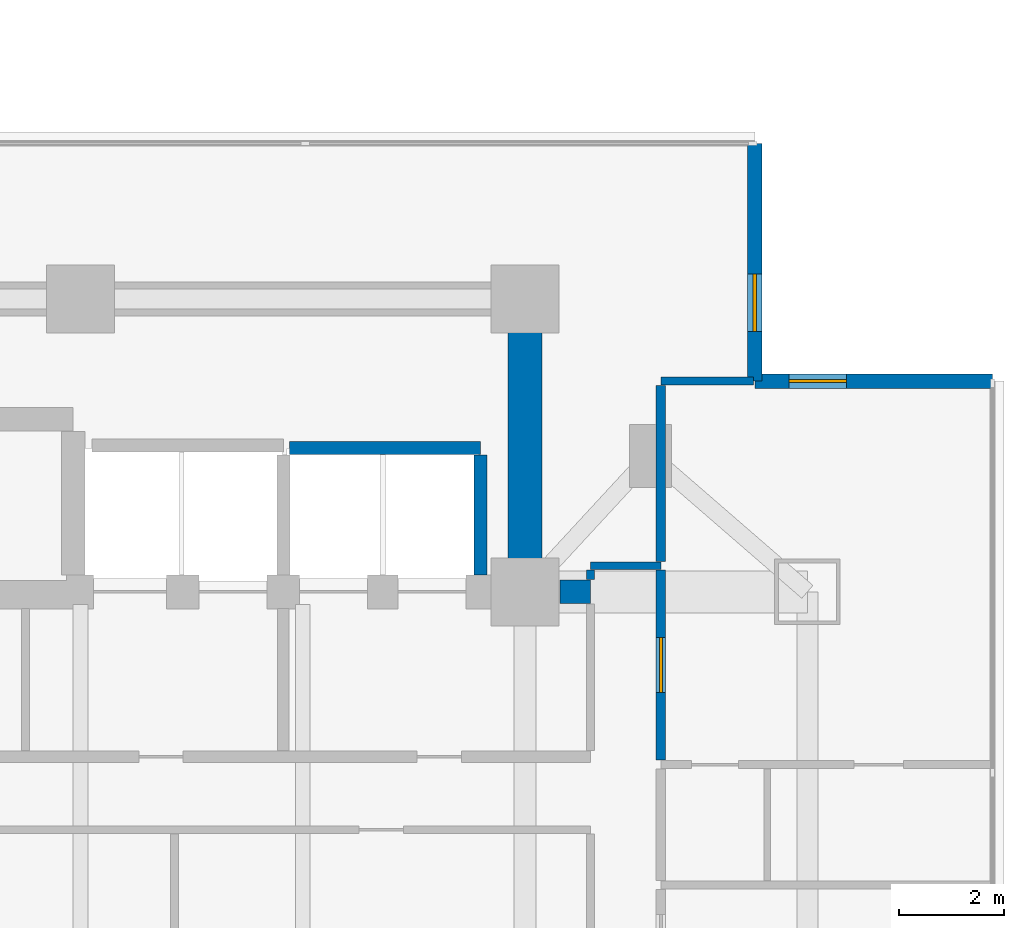
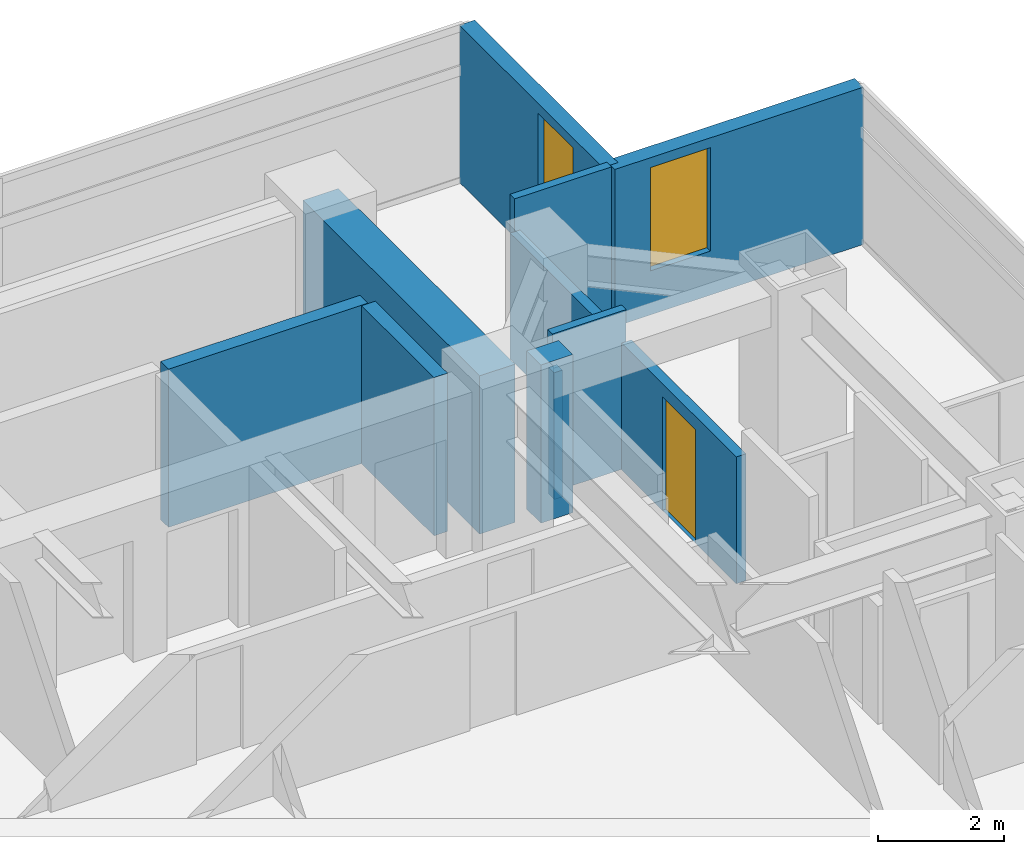
# One storey, part 20 of 27: 11 walls, 2 windows, 1 door, 3 openings.
"""IFC4 building model written with IfcOpenShell, lengths in metres."""

import ifcopenshell
import ifcopenshell.guid

model = None  # the IFC model being written
_history = None  # IfcOwnerHistory: only IFC2X3 demands one
_inside = {}  # id of a spatial element -> (the spatial element, [elements in it])
_under = {}  # id of a project, library or spatial element -> (it, [spatial elements below it])
_declared = {}  # id of a project -> (the project, [libraries it declares])
_typed = {}  # id of a type object -> (the type object, [elements of that type])
_made_of = {}  # id of a material, layer set ... -> (it, [elements and type objects made of it])


def new_model(schema):
    """Start an empty IFC model of exactly this schema.

    Asked for "IFC4X3", IfcOpenShell would pick the latest addendum, in which some entities
    have other attributes; the version numbers below select the first issue.
    IFC2X3 requires an IfcOwnerHistory on every rooted entity: one is made here for all.
    """
    global model, _history
    if schema == "IFC4X3":
        model = ifcopenshell.file(schema_version=(4, 3, 0, 0))
    else:
        model = ifcopenshell.file(schema=schema)
    _inside.clear()
    _under.clear()
    _declared.clear()
    _typed.clear()
    _made_of.clear()
    _history = None
    if model.schema == "IFC2X3":
        org = make("IfcOrganization", Name="unknown")
        user = make(
            "IfcPersonAndOrganization",
            ThePerson=make("IfcPerson", FamilyName="unknown"),
            TheOrganization=org,
        )
        app = make(
            "IfcApplication",
            ApplicationDeveloper=org,
            Version="unknown",
            ApplicationFullName="unknown",
            ApplicationIdentifier="unknown",
        )
        _history = make(
            "IfcOwnerHistory",
            OwningUser=user,
            OwningApplication=app,
            ChangeAction="ADDED",
            CreationDate=0,
        )
    return model


def make(cls, **values):
    """One entity of the class cls with the attributes given. An attribute that is None is left unset."""
    return model.create_entity(
        cls, **{name: value for name, value in values.items() if value is not None}
    )


def rooted(cls, **values):
    """An entity with a GlobalId (a new one), such as an element, a storey or a relation."""
    return make(cls, GlobalId=ifcopenshell.guid.new(), OwnerHistory=_history, **values)


def si_unit(unit_type, name, prefix=None):
    """IfcSIUnit, for example si_unit("LENGTHUNIT", "METRE", prefix="MILLI")."""
    return make("IfcSIUnit", UnitType=unit_type, Prefix=prefix, Name=name)


def assignment(units):
    """IfcUnitAssignment: the units of a project."""
    return None if units is None else make("IfcUnitAssignment", Units=units)


def point(xyz):
    """IfcCartesianPoint."""
    return None if xyz is None else make("IfcCartesianPoint", Coordinates=xyz)


def direction(xyz):
    """IfcDirection."""
    return None if xyz is None else make("IfcDirection", DirectionRatios=xyz)


def frame(location, z_axis=None, x_axis=None):
    """IfcAxis2Placement3D, a coordinate frame: its origin and axes. An axis left out is left unset."""
    return make(
        "IfcAxis2Placement3D",
        Location=point(location),
        Axis=direction(z_axis),
        RefDirection=direction(x_axis),
    )


def frame_2d(location, x_axis=None):
    """IfcAxis2Placement2D, a coordinate frame in the plane: its origin and x axis."""
    return make(
        "IfcAxis2Placement2D", Location=point(location), RefDirection=direction(x_axis)
    )


def origin():
    """The frame at (0, 0, 0) with its axes left unset."""
    return frame((0.0, 0.0, 0.0))


def place(relative_to, where):
    """IfcLocalPlacement: puts the frame where relative to a parent placement (None: the world)."""
    return make(
        "IfcLocalPlacement", PlacementRelTo=relative_to, RelativePlacement=where
    )


def context(
    kind, dimensions, precision=None, world=None, true_north=None, identifier=None
):
    """IfcGeometricRepresentationContext, for example the 3D "Model" context."""
    return make(
        "IfcGeometricRepresentationContext",
        ContextIdentifier=identifier,
        ContextType=kind,
        CoordinateSpaceDimension=dimensions,
        Precision=precision,
        WorldCoordinateSystem=world,
        TrueNorth=true_north,
    )


def subcontext(parent, identifier, kind, view, scale=None):
    """IfcGeometricRepresentationSubContext, for example "Body" below "Model"."""
    return make(
        "IfcGeometricRepresentationSubContext",
        ContextIdentifier=identifier,
        ContextType=kind,
        ParentContext=parent,
        TargetScale=scale,
        TargetView=view,
    )


def project(units=None, contexts=None):
    """IfcProject with its units and contexts."""
    return rooted(
        "IfcProject",
        Name="project",
        RepresentationContexts=contexts,
        UnitsInContext=assignment(units),
    )


def spatial(cls, under=None, at=None, **own):
    """A site, building, storey or space (cls), placed at a placement, below another one or the project."""
    s = rooted(cls, ObjectPlacement=at, **own)
    if under is not None:
        _under.setdefault(under.id(), (under, []))[1].append(s)
    return s


def profile(cls, at=None, kind="AREA", **sizes):
    """A parametric profile (cls). Its sizes go by their IFC names, for example OverallWidth=200.0."""
    return make(cls, ProfileType=kind, Position=at, **sizes)


def rectangle(**sizes):
    """IfcRectangleProfileDef."""
    return profile("IfcRectangleProfileDef", **sizes)


def extrude(swept, where, along, depth):
    """IfcExtrudedAreaSolid: the profile swept, set in the frame where, extruded along a direction by depth."""
    return make(
        "IfcExtrudedAreaSolid",
        SweptArea=swept,
        Position=where,
        ExtrudedDirection=direction(along),
        Depth=depth,
    )


def shape(context_of_items, identifier, shape_type, items):
    """IfcShapeRepresentation: the items that make up one representation, for example the "Body"."""
    return make(
        "IfcShapeRepresentation",
        ContextOfItems=context_of_items,
        RepresentationIdentifier=identifier,
        RepresentationType=shape_type,
        Items=items,
    )


def material(Name=None, Category=None):
    """IfcMaterial."""
    return make("IfcMaterial", Name=Name, Category=Category)


def layer(
    of_material, thickness, ventilated=None, Name=None, Category=None, Priority=None
):
    """IfcMaterialLayer: one layer of a wall or slab, of a material (None: an air gap)."""
    return make(
        "IfcMaterialLayer",
        Material=of_material,
        LayerThickness=thickness,
        IsVentilated=ventilated,
        Name=Name,
        Category=Category,
        Priority=Priority,
    )


def layer_set(layers, Name=None):
    """IfcMaterialLayerSet."""
    return make("IfcMaterialLayerSet", MaterialLayers=layers, LayerSetName=Name)


def made_of(thing, what):
    """Note that an element or type object is made of a material, layer set ...; save() writes the relation."""
    if what is not None:
        _made_of.setdefault(what.id(), (what, []))[1].append(thing)
    return thing


def type_object(cls, material=None, **own):
    """A type object (cls), such as IfcWallType, which elements share."""
    return made_of(rooted(cls, **own), material)


def element(
    cls,
    number,
    at=None,
    inside=None,
    cuts=None,
    type_object=None,
    material=None,
    context=None,
    identifier="Body",
    shape_type=None,
    held_by="IfcProductDefinitionShape",
    body=None,
    shapes=None,
    **own,
):
    """One element of the class cls, such as IfcWall. Its Tag is "e" and its number.

    at: its placement. inside: the storey or other place that contains it. cuts: it is an
    opening in that element (IfcRelVoidsElement). A single representation is given by context,
    identifier, shape_type and body (its items); several are given by shapes. held_by: the class
    of the entity that holds the representations. save() writes the other relations.
    """
    e = rooted(cls, Tag="e%d" % number, ObjectPlacement=at, **own)
    if body is not None:
        shapes = [shape(context, identifier, shape_type, body)]
    if shapes is not None:
        e.Representation = make(held_by, Representations=shapes)
    if inside is not None:
        _inside.setdefault(inside.id(), (inside, []))[1].append(e)
    if cuts is not None:
        rooted(
            "IfcRelVoidsElement", RelatingBuildingElement=cuts, RelatedOpeningElement=e
        )
    if type_object is not None:
        _typed.setdefault(type_object.id(), (type_object, []))[1].append(e)
    return made_of(e, material)


def fill(opening, filler):
    """IfcRelFillsElement: the door or window that sits in an opening."""
    return rooted(
        "IfcRelFillsElement",
        RelatingOpeningElement=opening,
        RelatedBuildingElement=filler,
    )


def aggregate(whole, parts):
    """IfcRelAggregates: a whole, such as a stair, and the parts it consists of."""
    return rooted("IfcRelAggregates", RelatingObject=whole, RelatedObjects=parts)


def save(model, path):
    """Write the relations noted so far, then the file.

    IfcRelAggregates (storeys below a building ...), IfcRelContainedInSpatialStructure (elements
    in a storey), IfcRelDefinesByType, IfcRelAssociatesMaterial and IfcRelDeclares: one each for
    every whole, place, type object, material and project.
    """
    for whole, parts in _under.values():
        aggregate(whole, parts)
    for where, things in _inside.values():
        rooted(
            "IfcRelContainedInSpatialStructure",
            RelatedElements=things,
            RelatingStructure=where,
        )
    for kind, things in _typed.values():
        rooted("IfcRelDefinesByType", RelatedObjects=things, RelatingType=kind)
    for what, things in _made_of.values():
        rooted("IfcRelAssociatesMaterial", RelatedObjects=things, RelatingMaterial=what)
    for by, libraries in _declared.values():
        rooted("IfcRelDeclares", RelatingContext=by, RelatedDefinitions=libraries)
    model.write(path)


model = new_model("IFC4")

# Units and contexts
model_context = context("Model", 3, precision=1e-05, world=origin(), true_north=direction((0.0, 1.0)))
body_context = subcontext(model_context, "Body", "Model", "MODEL_VIEW")
ifc_project = project(units=[si_unit("LENGTHUNIT", "METRE"), si_unit("AREAUNIT", "SQUARE_METRE"), si_unit("VOLUMEUNIT", "CUBIC_METRE"), si_unit("PLANEANGLEUNIT", "RADIAN"), si_unit("MASSUNIT", "GRAM", prefix="KILO")], contexts=[model_context])

# Site, building, storey
site_placement = place(None, origin())
site = spatial("IfcSite", under=ifc_project, at=site_placement, CompositionType="ELEMENT")
building_placement = place(site_placement, origin())
building = spatial("IfcBuilding", under=site, at=building_placement, Name="Mirazonda Arch Towers", CompositionType="ELEMENT")
storey_placement = place(building_placement, frame((0.0, 0.0, 52.10009765625)))
storey = spatial("IfcBuildingStorey", under=building, at=storey_placement, Name="L14", CompositionType="ELEMENT", Elevation=52.10009765625)

# Walls
ifc_material_1 = material(Name="Concrete C50/60", Category="concrete")
ifc_layer_1 = layer(ifc_material_1, 0.449951171875, Name="WALL-CORE-450")
ifc_layer_set_1 = layer_set([ifc_layer_1], Name="Concrete C50/60")
wall_type_1 = type_object("IfcWallType", Name="WALL-CORE-450", PredefinedType="SHEAR", material=ifc_layer_set_1)
wall_1_placement = place(storey_placement, frame((85.6650390625, 35.199951171875, 0.0), z_axis=(0.0, 0.0, 1.0), x_axis=(1.0, 0.0, 0.0)))
element("IfcWall", 1, at=wall_1_placement, inside=storey, type_object=wall_type_1, Name="L14 Stair Core Shear Wall 048", PredefinedType="SHEAR", context=body_context, shape_type="SweptSolid", body=[
    extrude(rectangle(XDim=0.5849609375, YDim=0.449951171875, at=frame_2d((0.29248046875, 0.0))), origin(), (0.0, 0.0, 1.0), 3.059814453125),
])
ifc_material_2 = material(Name="Concrete C60/75", Category="concrete")
ifc_layer_2 = layer(ifc_material_2, 0.64990234375, Name="WALL-CORE-650")
ifc_layer_set_2 = layer_set([ifc_layer_2], Name="Concrete C60/75")
wall_type_2 = type_object("IfcWallType", Name="WALL-CORE-650", PredefinedType="SHEAR", material=ifc_layer_set_2)
wall_2_placement = place(storey_placement, frame((85.0, 35.199951171875, 0.0), z_axis=(0.0, 0.0, 1.0), x_axis=(0.0, 1.0, 0.0)))
element("IfcWall", 2, at=wall_2_placement, inside=storey, type_object=wall_type_2, Name="L14 T2N-E Core Shear Wall", PredefinedType="SHEAR", context=body_context, shape_type="SweptSolid", body=[
    extrude(rectangle(XDim=5.60009765625, YDim=0.64990234375, at=frame_2d((2.800048828125, 0.0))), origin(), (0.0, 0.0, 1.0), 3.059814453125),
])

# Wall, opening, window
ifc_material_3 = material(Name="Precast Concrete C40/50", Category="concrete")
ifc_layer_3 = layer(ifc_material_3, 0.280029296875, Name="WALL-EXT-WALL-280")
ifc_layer_set_3 = layer_set([ifc_layer_3], Name="Precast Concrete C40/50")
wall_type_3 = type_object("IfcWallType", Name="WALL-EXT-WALL-280", PredefinedType="SOLIDWALL", material=ifc_layer_set_3)
wall_3_placement = place(storey_placement, frame((89.39404296875, 39.22998046875, 0.0), z_axis=(0.0, 0.0, 1.0), x_axis=(0.0, 1.0, 0.0)))
wall_3 = element("IfcWall", 3, at=wall_3_placement, inside=storey, type_object=wall_type_3, Name="L14 T2 Notched NE Corner Wall WL-L14-T2-CNE", PredefinedType="SOLIDWALL", context=body_context, shape_type="SweptSolid", body=[
    extrude(rectangle(XDim=4.5458984375, YDim=0.280029296875, at=frame_2d((2.27294921875, 0.0))), origin(), (0.0, 0.0, 1.0), 3.039794921875),
])
opening_1_placement = place(wall_3_placement, frame((0.949951171875, 0.0, 0.85009765625)))
opening_1 = element("IfcOpeningElement", 4, at=opening_1_placement, cuts=wall_3, Name="Opening WN-108", PredefinedType="OPENING", context=body_context, shape_type="SweptSolid", body=[
    extrude(rectangle(XDim=1.10009765625, YDim=2.0, at=frame_2d((0.550048828125, 1.0))), frame((0.0, 0.14990234375, 0.0), z_axis=(0.0, -1.0, 0.0), x_axis=(1.0, 0.0, 0.0)), (0.0, 0.0, 1.0), 0.300048828125),
])
ifc_material_4 = material(Name="Insulated Low-E Solar Glass", Category="glass")
window_type = type_object("IfcWindowType", Name="WIN-NOTCH-1100x2000", PartitioningType="SINGLE_PANEL", PredefinedType="WINDOW", material=ifc_material_4)
window_1_placement = place(opening_1_placement, origin())
window_1 = element("IfcWindow", 5, at=window_1_placement, inside=storey, type_object=window_type, Name="L14 Punched Facade Window WN-L14-T2-CNE", OverallHeight=2.0, OverallWidth=1.10009765625, PartitioningType="SINGLE_PANEL", PredefinedType="WINDOW", context=body_context, shape_type="SweptSolid", body=[
    extrude(rectangle(XDim=1.10009765625, YDim=2.0, at=frame_2d((0.550048828125, 1.0))), frame((0.0, 0.030029296875, 0.0), z_axis=(0.0, -1.0, 0.0), x_axis=(1.0, 0.0, 0.0)), (0.0, 0.0, 1.0), 0.06005859375),
])
fill(opening_1, window_1)

wall_4_placement = place(storey_placement, frame((93.93994140625, 39.22998046875, 0.0), z_axis=(0.0, 0.0, 1.0), x_axis=(-1.0, 0.0, 0.0)))
wall_4 = element("IfcWall", 6, at=wall_4_placement, inside=storey, type_object=wall_type_3, Name="L14 T2 Corner Notch Return Wall WL-L14-T2-CNE2", PredefinedType="SOLIDWALL", context=body_context, shape_type="SweptSolid", body=[
    extrude(rectangle(XDim=4.5458984375, YDim=0.280029296875, at=frame_2d((2.27294921875, 0.0))), origin(), (0.0, 0.0, 1.0), 3.039794921875),
])
opening_2_placement = place(wall_4_placement, frame((2.7958984375, 0.0, 0.85009765625)))
opening_2 = element("IfcOpeningElement", 7, at=opening_2_placement, cuts=wall_4, Name="Opening WN-108", PredefinedType="OPENING", context=body_context, shape_type="SweptSolid", body=[
    extrude(rectangle(XDim=1.10009765625, YDim=2.0, at=frame_2d((0.550048828125, 1.0))), frame((0.0, 0.14990234375, 0.0), z_axis=(0.0, -1.0, 0.0), x_axis=(1.0, 0.0, 0.0)), (0.0, 0.0, 1.0), 0.300048828125),
])
window_2_placement = place(opening_2_placement, origin())
window_2 = element("IfcWindow", 8, at=window_2_placement, inside=storey, type_object=window_type, Name="L14 Punched Facade Window WN-L14-T2-CNE2", OverallHeight=2.0, OverallWidth=1.10009765625, PartitioningType="SINGLE_PANEL", PredefinedType="WINDOW", context=body_context, shape_type="SweptSolid", body=[
    extrude(rectangle(XDim=1.10009765625, YDim=2.0, at=frame_2d((0.550048828125, 1.0))), frame((0.0, 0.030029296875, 0.0), z_axis=(0.0, -1.0, 0.0), x_axis=(1.0, 0.0, 0.0)), (0.0, 0.0, 1.0), 0.06005859375),
])
fill(opening_2, window_2)

# Walls
ifc_material_5 = material(Name="Fire-Rated Gypsum Stud Partition")
ifc_layer_4 = layer(ifc_material_5, 0.14990234375, Name="WALL-PART-CORR-150")
ifc_layer_set_4 = layer_set([ifc_layer_4], Name="Fire-Rated Gypsum Stud Partition")
wall_type_4 = type_object("IfcWallType", Name="WALL-PART-CORR-150", PredefinedType="PARTITIONING", material=ifc_layer_set_4)
wall_5_placement = place(storey_placement, frame((86.25, 35.699951171875, 0.0), z_axis=(0.0, 0.0, 1.0), x_axis=(1.0, 0.0, 0.0)))
element("IfcWall", 9, at=wall_5_placement, inside=storey, type_object=wall_type_4, Name="L14 Interior Partition 050", PredefinedType="PARTITIONING", context=body_context, shape_type="SweptSolid", body=[
    extrude(rectangle(XDim=1.35009765625, YDim=0.14990234375, at=frame_2d((0.675048828125, 0.0))), origin(), (0.0, 0.0, 1.0), 3.059814453125),
])
wall_6_placement = place(storey_placement, frame((87.60009765625, 39.22998046875, 0.0), z_axis=(0.0, 0.0, 1.0), x_axis=(1.0, 0.0, 0.0)))
element("IfcWall", 10, at=wall_6_placement, inside=storey, type_object=wall_type_4, Name="L14 Interior Partition 056", PredefinedType="PARTITIONING", context=body_context, shape_type="SweptSolid", body=[
    extrude(rectangle(XDim=1.77392578125, YDim=0.14990234375, at=frame_2d((0.886962890625, 0.0))), origin(), (0.0, 0.0, 1.0), 3.059814453125),
])
wall_7_placement = place(storey_placement, frame((86.25, 35.43505859375, 0.0), z_axis=(0.0, 0.0, 1.0), x_axis=(0.0, 1.0, 0.0)))
element("IfcWall", 11, at=wall_7_placement, inside=storey, type_object=wall_type_4, Name="L14 Interior Partition 152", PredefinedType="PARTITIONING", context=body_context, shape_type="SweptSolid", body=[
    extrude(rectangle(XDim=0.179931640625, YDim=0.14990234375, at=frame_2d((0.08984375, 0.0))), origin(), (0.0, 0.0, 1.0), 2.451904296875),
])

# Wall, opening, door
ifc_material_6 = material(Name="Fire-Rated Gypsum Twin-Stud Assembly")
ifc_layer_5 = layer(ifc_material_6, 0.179931640625, Name="WALL-PART-DEMISE-180")
ifc_layer_set_5 = layer_set([ifc_layer_5], Name="Fire-Rated Gypsum Twin-Stud Assembly")
wall_type_5 = type_object("IfcWallType", Name="WALL-PART-DEMISE-180", PredefinedType="PARTITIONING", material=ifc_layer_set_5)
wall_8_placement = place(storey_placement, frame((87.60009765625, 31.98095703125, 0.0), z_axis=(0.0, 0.0, 1.0), x_axis=(0.0, 1.0, 0.0)))
wall_8 = element("IfcWall", 12, at=wall_8_placement, inside=storey, type_object=wall_type_5, Name="L14 Interior Partition 159", PredefinedType="PARTITIONING", context=body_context, shape_type="SweptSolid", body=[
    extrude(rectangle(XDim=3.634033203125, YDim=0.179931640625, at=frame_2d((1.81689453125, 0.0))), origin(), (0.0, 0.0, 1.0), 2.451904296875),
])
opening_3_placement = place(wall_8_placement, frame((1.2919921875, 0.0, 0.0)))
opening_3 = element("IfcOpeningElement", 13, at=opening_3_placement, cuts=wall_8, Name="Opening DR-121", PredefinedType="OPENING", context=body_context, shape_type="SweptSolid", body=[
    extrude(rectangle(XDim=1.050048828125, YDim=2.199951171875, at=frame_2d((0.52490234375, 1.10009765625))), frame((0.0, 0.099853515625, 0.0), z_axis=(0.0, -1.0, 0.0), x_axis=(1.0, 0.0, 0.0)), (0.0, 0.0, 1.0), 0.199951171875),
])
ifc_material_7 = material(Name="Architectural Brushed Steel S355", Category="steel")
door_type = type_object("IfcDoorType", Name="DOOR-SUITE-FD60-1050", OperationType="NOTDEFINED", PredefinedType="DOOR", material=ifc_material_7)
door_placement = place(opening_3_placement, origin())
door = element("IfcDoor", 14, at=door_placement, inside=storey, type_object=door_type, Name="L14 Studio Apartment 3 Living Salon Door", OperationType="SINGLE_SWING_LEFT", OverallHeight=2.199951171875, OverallWidth=1.050048828125, PredefinedType="DOOR", context=body_context, shape_type="SweptSolid", body=[
    extrude(rectangle(XDim=1.050048828125, YDim=2.199951171875, at=frame_2d((0.52490234375, 1.10009765625))), frame((0.0, 0.02490234375, 0.0), z_axis=(0.0, -1.0, 0.0), x_axis=(1.0, 0.0, 0.0)), (0.0, 0.0, 1.0), 0.050048828125),
])
fill(opening_3, door)

# Walls
wall_9_placement = place(storey_placement, frame((87.60009765625, 35.784912109375, 0.0), z_axis=(0.0, 0.0, 1.0), x_axis=(0.0, 1.0, 0.0)))
element("IfcWall", 15, at=wall_9_placement, inside=storey, type_object=wall_type_5, Name="L14 Interior Partition 160", PredefinedType="PARTITIONING", context=body_context, shape_type="SweptSolid", body=[
    extrude(rectangle(XDim=3.360107421875, YDim=0.179931640625, at=frame_2d((1.68017578125, 0.0))), origin(), (0.0, 0.0, 1.0), 2.435791015625),
])
ifc_material_8 = material(Name="Concrete C40/50", Category="concrete")
ifc_layer_6 = layer(ifc_material_8, 0.25, Name="WALL-SHAFT-250")
ifc_layer_set_6 = layer_set([ifc_layer_6], Name="Concrete C40/50")
wall_type_6 = type_object("IfcWallType", Name="WALL-SHAFT-250", PredefinedType="SOLIDWALL", material=ifc_layer_set_6)
wall_10_placement = place(storey_placement, frame((80.5, 37.949951171875, 0.0), z_axis=(0.0, 0.0, 1.0), x_axis=(1.0, 0.0, 0.0)))
element("IfcWall", 16, at=wall_10_placement, inside=storey, type_object=wall_type_6, Name="L14 Interior Partition 052", PredefinedType="SOLIDWALL", context=body_context, shape_type="SweptSolid", body=[
    extrude(rectangle(XDim=3.64990234375, YDim=0.25, at=frame_2d((1.824951171875, 0.0))), origin(), (0.0, 0.0, 1.0), 3.059814453125),
])
wall_11_placement = place(storey_placement, frame((84.14990234375, 35.52001953125, 0.0), z_axis=(0.0, 0.0, 1.0), x_axis=(0.0, 1.0, 0.0)))
element("IfcWall", 17, at=wall_11_placement, inside=storey, type_object=wall_type_6, Name="L14 Interior Partition 148", PredefinedType="SOLIDWALL", context=body_context, shape_type="SweptSolid", body=[
    extrude(rectangle(XDim=2.294921875, YDim=0.25, at=frame_2d((1.1474609375, 0.0))), origin(), (0.0, 0.0, 1.0), 3.059814453125),
])

save(model, "model.ifc")
